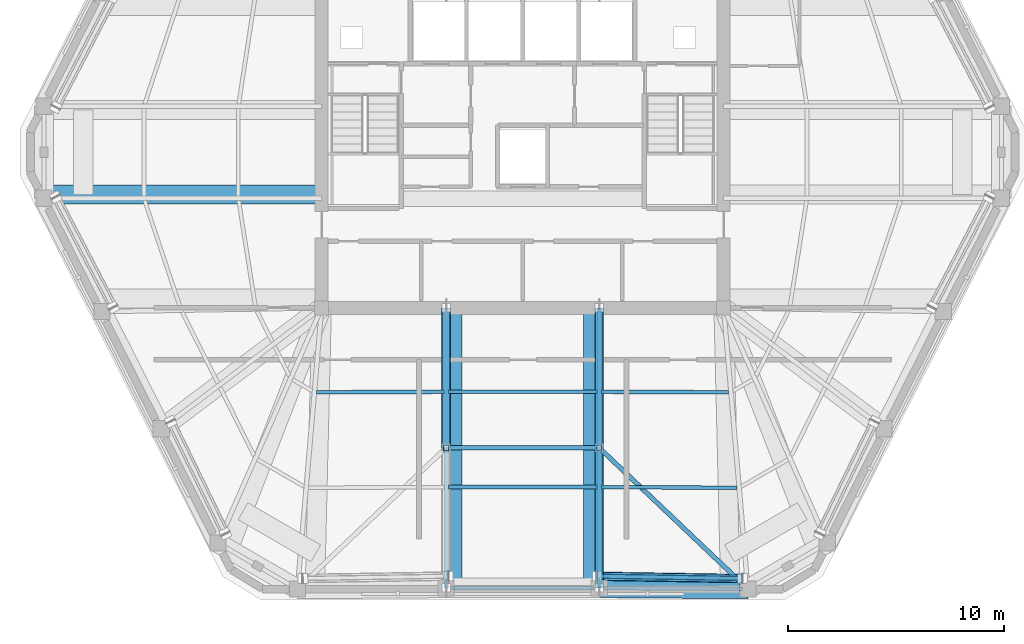
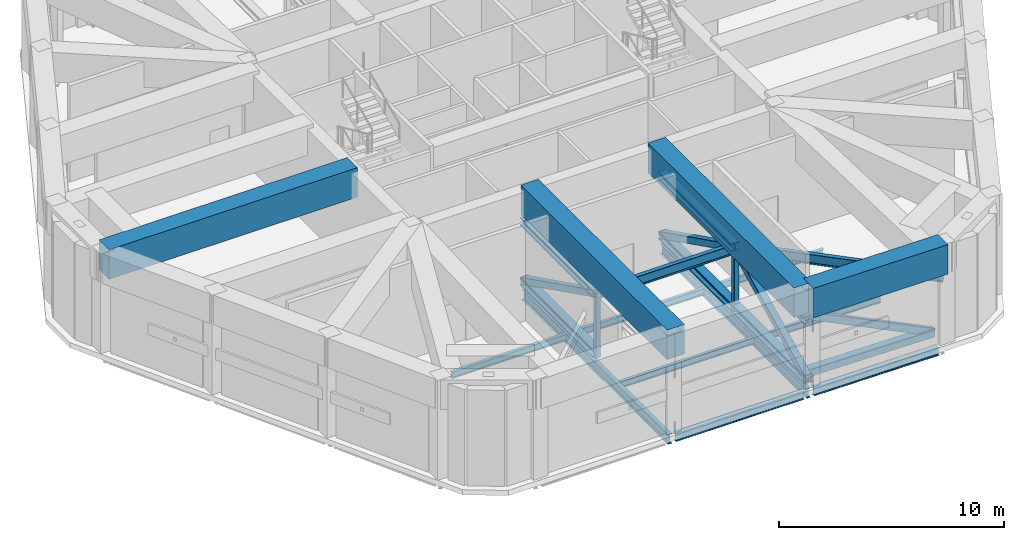
# One storey, part 2 of 15: 15 beams, 14 members.
"""IFC4 building model written with IfcOpenShell, lengths in metres."""

from ifc_helpers import new_model, si_unit, direction, frame, origin, origin_2d, place, context, subcontext, project, spatial, rectangle, hollow_rectangle, i_section, extrude, material, material_profile, profile_set, type_object, element, save


model = new_model("IFC4")

# Units and contexts
model_context = context("Model", 3, precision=1e-05, world=origin(), true_north=direction((0.0, 1.0)))
body_context = subcontext(model_context, "Body", "Model", "MODEL_VIEW")
ifc_project = project(units=[si_unit("LENGTHUNIT", "METRE"), si_unit("AREAUNIT", "SQUARE_METRE"), si_unit("VOLUMEUNIT", "CUBIC_METRE"), si_unit("PLANEANGLEUNIT", "RADIAN"), si_unit("MASSUNIT", "GRAM", prefix="KILO")], contexts=[model_context])

# Site, building, storey
site_placement = place(None, origin())
site = spatial("IfcSite", under=ifc_project, at=site_placement, CompositionType="ELEMENT")
building_placement = place(site_placement, origin())
building = spatial("IfcBuilding", under=site, at=building_placement, Name="Cinnabar Lancet Tower", CompositionType="ELEMENT")
storey_placement = place(building_placement, frame((0.0, 0.0, 221.60009765625)))
storey = spatial("IfcBuildingStorey", under=building, at=storey_placement, Name="L59", CompositionType="ELEMENT", Elevation=221.60009765625)

# Beams
ifc_material_1 = material(Name="Concrete C70/85", Category="concrete")
ifc_material_profile_1 = material_profile(ifc_material_1, rectangle(XDim=0.89990234375, YDim=1.60009765625, at=origin_2d()), Name="RC-BG 900x1600")
ifc_profile_set_1 = profile_set([ifc_material_profile_1], Name="Concrete C70/85")
beam_type_1 = type_object("IfcBeamType", Name="STR-BM-BG-1600", PredefinedType="BEAM", material=ifc_profile_set_1)
beam_1_placement = place(storey_placement, frame((35.943115234375, 5.64208984375, 4.599853515625), z_axis=(0.999970335653, -0.00770245502, 0.0), x_axis=(0.00770245502, 0.999970335653, 0.0)))
element("IfcBeam", 1, at=beam_1_placement, inside=storey, type_object=beam_type_1, Name="L60 Setback Outer Ring Girder 3", PredefinedType="BEAM", context=body_context, shape_type="SweptSolid", body=[
    extrude(rectangle(XDim=0.89990234375, YDim=1.60009765625, at=origin_2d()), origin(), (0.0, 0.0, 1.0), 6.878173828125),
])
for number, where, z_axis, x_axis, name in (
    (2, (29.14599609375, 5.64208984375, 4.599853515625), (0.0, 1.0, 0.0), (-1.0, 0.0, 0.0), "L60 Setback Continuous Radial Transfer Girder 2"),
    (3, (35.654052734375, 5.64208984375, 4.599853515625), (0.0, 1.0, 0.0), (-1.0, 0.0, 0.0), "L60 Setback Continuous Radial Transfer Girder 3"),
):
    element("IfcBeam", number, at=place(storey_placement, frame(where, z_axis=z_axis, x_axis=x_axis)), inside=storey, type_object=beam_type_1, Name=name, PredefinedType="BEAM", context=body_context, shape_type="SweptSolid", body=[
        extrude(rectangle(XDim=0.89990234375, YDim=1.60009765625, at=origin_2d()), origin(), (0.0, 0.0, 1.0), 12.9580078125),
    ])
beam_2_placement = place(storey_placement, frame((10.3720703125, 23.844970703125, 4.599853515625), z_axis=(1.0, 0.0, 0.0), x_axis=(0.0, 1.0, 0.0)))
element("IfcBeam", 4, at=beam_2_placement, inside=storey, type_object=beam_type_1, Name="L60 Setback Continuous Radial Transfer Girder 21", PredefinedType="BEAM", context=body_context, shape_type="SweptSolid", body=[
    extrude(rectangle(XDim=0.89990234375, YDim=1.60009765625, at=origin_2d()), origin(), (0.0, 0.0, 1.0), 12.72802734375),
])
ifc_material_2 = material(Name="Structural steel S355", Category="steel")
ifc_material_profile_2 = material_profile(ifc_material_2, i_section(OverallWidth=0.17138671875, OverallDepth=0.35498046875, WebThickness=0.00732421875, FlangeThickness=0.011474609375, FilletRadius=0.01025390625, at=origin_2d()), Name="UKB 356x171x51")
ifc_profile_set_2 = profile_set([ifc_material_profile_2], Name="Structural steel S355")
beam_type_2 = type_object("IfcBeamType", Name="STR-BM-JST-356", PredefinedType="JOIST", material=ifc_profile_set_2)
beam_3_placement = place(storey_placement, frame((22.868896484375, 14.697021484375, -0.4580078125), z_axis=(0.999996795933, 0.002531427338, 0.0), x_axis=(-0.002531427338, 0.999996795933, 0.0)))
element("IfcBeam", 5, at=beam_3_placement, inside=storey, type_object=beam_type_2, Name="L59 Secondary Floor Joist 10", PredefinedType="JOIST", context=body_context, shape_type="SweptSolid", body=[
    extrude(i_section(OverallWidth=0.17138671875, OverallDepth=0.35498046875, WebThickness=0.00732421875, FlangeThickness=0.011474609375, FilletRadius=0.01025390625, at=origin_2d()), origin(), (0.0, 0.0, 1.0), 5.883056640625),
])
for number, where, z_axis, x_axis, name in (
    (6, (28.9619140625, 10.306884765625, -0.4580078125), (1.0, 0.0, 0.0), (0.0, 1.0, 0.0), "L59 Secondary Floor Joist 11"),
    (7, (28.9619140625, 14.712890625, -0.4580078125), (1.0, 0.0, 0.0), (0.0, 1.0, 0.0), "L59 Secondary Floor Joist 12"),
):
    element("IfcBeam", number, at=place(storey_placement, frame(where, z_axis=z_axis, x_axis=x_axis)), inside=storey, type_object=beam_type_2, Name=name, PredefinedType="JOIST", context=body_context, shape_type="SweptSolid", body=[
        extrude(i_section(OverallWidth=0.17138671875, OverallDepth=0.35498046875, WebThickness=0.00732421875, FlangeThickness=0.011474609375, FilletRadius=0.01025390625, at=origin_2d()), origin(), (0.0, 0.0, 1.0), 6.8759765625),
    ])
beam_4_placement = place(storey_placement, frame((36.048095703125, 10.305908203125, -0.4580078125), z_axis=(0.999986965561, -0.005105752523, 0.0), x_axis=(0.005105752523, 0.999986965561, 0.0)))
element("IfcBeam", 8, at=beam_4_placement, inside=storey, type_object=beam_type_2, Name="L59 Secondary Floor Joist 13", PredefinedType="JOIST", context=body_context, shape_type="SweptSolid", body=[
    extrude(i_section(OverallWidth=0.17138671875, OverallDepth=0.35498046875, WebThickness=0.00732421875, FlangeThickness=0.011474609375, FilletRadius=0.01025390625, at=origin_2d()), origin(), (0.0, 0.0, 1.0), 6.263916015625),
])
beam_5_placement = place(storey_placement, frame((36.048095703125, 14.7119140625, -0.4580078125), z_axis=(0.999996795667, -0.002531532393, 0.0), x_axis=(0.002531532393, 0.999996795667, 0.0)))
element("IfcBeam", 9, at=beam_5_placement, inside=storey, type_object=beam_type_2, Name="L59 Secondary Floor Joist 14", PredefinedType="JOIST", context=body_context, shape_type="SweptSolid", body=[
    extrude(i_section(OverallWidth=0.17138671875, OverallDepth=0.35498046875, WebThickness=0.00732421875, FlangeThickness=0.011474609375, FilletRadius=0.01025390625, at=origin_2d()), origin(), (0.0, 0.0, 1.0), 5.8828125),
])
ifc_material_3 = material(Name="Structural steel S355", Category="steel")
ifc_material_profile_3 = material_profile(ifc_material_3, i_section(OverallWidth=0.1904296875, OverallDepth=0.45703125, WebThickness=0.009033203125, FlangeThickness=0.014404296875, FilletRadius=0.01025390625, at=origin_2d()), Name="UKB 457x191x74")
ifc_profile_set_3 = profile_set([ifc_material_profile_3], Name="Structural steel S355")
beam_type_3 = type_object("IfcBeamType", Name="STR-BM-SPN-457", PredefinedType="SPANDREL", material=ifc_profile_set_3)
beam_6_placement = place(storey_placement, frame((29.10693359375, 5.64208984375, -0.509033203125), z_axis=(1.0, 0.0, 0.0), x_axis=(0.0, 1.0, 0.0)))
element("IfcBeam", 10, at=beam_6_placement, inside=storey, type_object=beam_type_3, Name="L59 Perimeter Spandrel 2", PredefinedType="SPANDREL", context=body_context, shape_type="SweptSolid", body=[
    extrude(i_section(OverallWidth=0.1904296875, OverallDepth=0.45703125, WebThickness=0.009033203125, FlangeThickness=0.014404296875, FilletRadius=0.01025390625, at=origin_2d()), origin(), (0.0, 0.0, 1.0), 6.586181640625),
])
beam_7_placement = place(storey_placement, frame((36.193115234375, 5.639892578125, -0.509033203125), z_axis=(0.999970695686, -0.007655571089, 0.0), x_axis=(0.007655571089, 0.999970695686, 0.0)))
element("IfcBeam", 11, at=beam_7_placement, inside=storey, type_object=beam_type_3, Name="L59 Perimeter Spandrel 3", PredefinedType="SPANDREL", context=body_context, shape_type="SweptSolid", body=[
    extrude(i_section(OverallWidth=0.1904296875, OverallDepth=0.45703125, WebThickness=0.009033203125, FlangeThickness=0.014404296875, FilletRadius=0.01025390625, at=origin_2d()), origin(), (0.0, 0.0, 1.0), 6.378173828125),
])
ifc_material_4 = material(Name="Structural steel S355", Category="steel")
ifc_material_profile_4 = material_profile(ifc_material_4, i_section(OverallWidth=0.209228515625, OverallDepth=0.533203125, WebThickness=0.010009765625, FlangeThickness=0.015625, FilletRadius=0.0126953125, at=origin_2d()), Name="UKB 533x210x92")
ifc_profile_set_4 = profile_set([ifc_material_profile_4], Name="Structural steel S355")
beam_type_4 = type_object("IfcBeamType", Name="STR-BM-UKB533-92", PredefinedType="BEAM", material=ifc_profile_set_4)
for number, where, z_axis, x_axis, name in (
    (12, (28.85693359375, 5.64208984375, -0.547119140625), (0.0, 1.0, 0.0), (-1.0, 0.0, 0.0), "L59 Primary Floor Girder 2"),
    (13, (35.943115234375, 5.64208984375, -0.547119140625), (0.0, 1.0, 0.0), (-1.0, 0.0, 0.0), "L59 Primary Floor Girder 3"),
):
    element("IfcBeam", number, at=place(storey_placement, frame(where, z_axis=z_axis, x_axis=x_axis)), inside=storey, type_object=beam_type_4, Name=name, PredefinedType="BEAM", context=body_context, shape_type="SweptSolid", body=[
        extrude(i_section(OverallWidth=0.209228515625, OverallDepth=0.533203125, WebThickness=0.010009765625, FlangeThickness=0.015625, FilletRadius=0.0126953125, at=origin_2d()), origin(), (0.0, 0.0, 1.0), 12.9580078125),
    ])
beam_8_placement = place(storey_placement, frame((28.85693359375, 12.12109375, 3.40283203125), z_axis=(1.0, 0.0, 0.0), x_axis=(0.0, 1.0, 0.0)))
element("IfcBeam", 14, at=beam_8_placement, inside=storey, type_object=beam_type_4, Name="L59 Outrigger S Tie Beam 2", PredefinedType="BEAM", context=body_context, shape_type="SweptSolid", body=[
    extrude(i_section(OverallWidth=0.209228515625, OverallDepth=0.533203125, WebThickness=0.010009765625, FlangeThickness=0.015625, FilletRadius=0.0126953125, at=origin_2d()), origin(), (0.0, 0.0, 1.0), 7.086181640625),
])
beam_9_placement = place(storey_placement, frame((35.943115234375, 12.12109375, 3.40283203125), z_axis=(0.725107384687, -0.688635811349, 0.0), x_axis=(0.688635811349, 0.725107384687, 0.0)))
element("IfcBeam", 15, at=beam_9_placement, inside=storey, type_object=beam_type_4, Name="L59 Outrigger S Tie Beam 3", PredefinedType="BEAM", context=body_context, shape_type="SweptSolid", body=[
    extrude(i_section(OverallWidth=0.209228515625, OverallDepth=0.533203125, WebThickness=0.010009765625, FlangeThickness=0.015625, FilletRadius=0.0126953125, at=origin_2d()), origin(), (0.0, 0.0, 1.0), 9.4853515625),
])

# Members
ifc_material_5 = material(Name="Structural steel S460", Category="steel")
ifc_material_profile_5 = material_profile(ifc_material_5, hollow_rectangle(XDim=0.199951171875, YDim=0.39990234375, WallThickness=0.01611328125, InnerFilletRadius=0.008056640625, OuterFilletRadius=0.02392578125, at=origin_2d()), Name="RHS 400x200x16")
ifc_profile_set_5 = profile_set([ifc_material_profile_5], Name="Structural steel S460")
member_type_1 = type_object("IfcMemberType", Name="STR-MEM-BT-BRC400", PredefinedType="BRACE", material=ifc_profile_set_5)
member_placement = place(storey_placement, frame((35.847900390625, 6.18408203125, 3.449951171875), z_axis=(0.90123232095, -0.014240321817, -0.433102201459), x_axis=(0.015798972284, 0.999875188448, 0.0)))
element("IfcMember", 16, at=member_placement, inside=storey, type_object=member_type_1, Name="L59 Belt Truss Face 1 Diagonal", PredefinedType="BRACE", context=body_context, shape_type="SweptSolid", body=[
    extrude(hollow_rectangle(XDim=0.199951171875, YDim=0.39990234375, WallThickness=0.01611328125, InnerFilletRadius=0.008056640625, OuterFilletRadius=0.02392578125, at=origin_2d()), origin(), (0.0, 0.0, 1.0), 7.457763671875),
])
ifc_material_6 = material(Name="Structural steel S460", Category="steel")
ifc_material_profile_6 = material_profile(ifc_material_6, hollow_rectangle(XDim=0.39990234375, YDim=0.39990234375, WallThickness=0.02001953125, InnerFilletRadius=0.010009765625, OuterFilletRadius=0.030029296875, at=origin_2d()), Name="SHS 400x400x20")
ifc_profile_set_6 = profile_set([ifc_material_profile_6], Name="Structural steel S460")
member_type_2 = type_object("IfcMemberType", Name="STR-MEM-BT-CHD400", PredefinedType="CHORD", material=ifc_profile_set_6)
for number, where, z_axis, x_axis, name in (
    (17, (35.847900390625, 6.18408203125, 0.219970703125), (0.999875188448, -0.015798972284, 0.0), (0.015798972284, 0.999875188448, 0.0), "L59 Belt Truss Face 1 Chord BC"),
    (18, (35.847900390625, 6.18408203125, 3.449951171875), (0.999875188448, -0.015798972284, 0.0), (0.015798972284, 0.999875188448, 0.0), "L59 Belt Truss Face 1 Chord TC"),
):
    element("IfcMember", number, at=place(storey_placement, frame(where, z_axis=z_axis, x_axis=x_axis)), inside=storey, type_object=member_type_2, Name=name, PredefinedType="CHORD", context=body_context, shape_type="SweptSolid", body=[
        extrude(hollow_rectangle(XDim=0.39990234375, YDim=0.39990234375, WallThickness=0.02001953125, InnerFilletRadius=0.010009765625, OuterFilletRadius=0.030029296875, at=origin_2d()), origin(), (0.0, 0.0, 1.0), 6.721923828125),
    ])
ifc_material_7 = material(Name="Structural steel S460", Category="steel")
ifc_material_profile_7 = material_profile(ifc_material_7, hollow_rectangle(XDim=0.25, YDim=0.25, WallThickness=0.012451171875, InnerFilletRadius=0.00634765625, OuterFilletRadius=0.018798828125, at=origin_2d()), Name="SHS 250x250x12.5")
ifc_profile_set_7 = profile_set([ifc_material_profile_7], Name="Structural steel S460")
member_type_3 = type_object("IfcMemberType", Name="STR-MEM-BT-PST250", PredefinedType="STRUT", material=ifc_profile_set_7)
for number, where, z_axis, x_axis, name in (
    (19, (28.85693359375, 12.12109375, 0.0), (0.0, 0.0, 1.0), (1.0, 0.0, 0.0), "L59 Outrigger Truss 1 Web Strut"),
    (20, (35.943115234375, 12.12109375, 0.0), (0.0, 0.0, 1.0), (1.0, 0.0, 0.0), "L59 Outrigger Truss 2 Web Strut"),
):
    element("IfcMember", number, at=place(storey_placement, frame(where, z_axis=z_axis, x_axis=x_axis)), inside=storey, type_object=member_type_3, Name=name, PredefinedType="STRUT", context=body_context, shape_type="SweptSolid", body=[
        extrude(hollow_rectangle(XDim=0.25, YDim=0.25, WallThickness=0.012451171875, InnerFilletRadius=0.00634765625, OuterFilletRadius=0.018798828125, at=origin_2d()), origin(), (0.0, 0.0, 1.0), 3.449951171875),
    ])
ifc_material_8 = material(Name="Structural steel S460", Category="steel")
ifc_material_profile_8 = material_profile(ifc_material_8, hollow_rectangle(XDim=0.35009765625, YDim=0.35009765625, WallThickness=0.01611328125, InnerFilletRadius=0.008056640625, OuterFilletRadius=0.02392578125, at=origin_2d()), Name="SHS 350x350x16")
ifc_profile_set_8 = profile_set([ifc_material_profile_8], Name="Structural steel S460")
member_type_4 = type_object("IfcMemberType", Name="STR-MEM-OT-BRC350", PredefinedType="BRACE", material=ifc_profile_set_8)
for number, where, z_axis, x_axis, name in (
    (21, (28.85693359375, 18.60009765625, 0.219970703125), (0.0, -0.8949526578, 0.44616111473), (1.0, 0.0, 0.0), "L59 Outrigger Truss 1 Diagonal 1"),
    (22, (35.943115234375, 18.60009765625, 0.219970703125), (0.0, -0.8949526578, 0.44616111473), (1.0, 0.0, 0.0), "L59 Outrigger Truss 2 Diagonal 1"),
    (23, (35.943115234375, 12.12109375, 3.449951171875), (0.0, -0.8949526578, -0.44616111473), (1.0, 0.0, 0.0), "L59 Outrigger Truss 2 Diagonal 2"),
):
    element("IfcMember", number, at=place(storey_placement, frame(where, z_axis=z_axis, x_axis=x_axis)), inside=storey, type_object=member_type_4, Name=name, PredefinedType="BRACE", context=body_context, shape_type="SweptSolid", body=[
        extrude(hollow_rectangle(XDim=0.35009765625, YDim=0.35009765625, WallThickness=0.01611328125, InnerFilletRadius=0.008056640625, OuterFilletRadius=0.02392578125, at=origin_2d()), origin(), (0.0, 0.0, 1.0), 7.239501953125),
    ])
ifc_material_9 = material(Name="Structural steel S460", Category="steel")
ifc_material_profile_9 = material_profile(ifc_material_9, i_section(OverallWidth=0.412109375, OverallDepth=0.43505859375, WebThickness=0.035888671875, FlangeThickness=0.05810546875, FilletRadius=0.014892578125, at=origin_2d()), Name="HD 400x463")
ifc_profile_set_9 = profile_set([ifc_material_profile_9], Name="Structural steel S460")
member_type_5 = type_object("IfcMemberType", Name="STR-MEM-OT-CHD463", PredefinedType="CHORD", material=ifc_profile_set_9)
for number, where, z_axis, x_axis, name in (
    (24, (28.85693359375, 18.60009765625, 0.219970703125), (0.0, -1.0, 0.0), (1.0, 0.0, 0.0), "L59 Outrigger Truss 1 Chord BC1"),
    (25, (28.85693359375, 18.60009765625, 3.449951171875), (0.0, -1.0, 0.0), (1.0, 0.0, 0.0), "L59 Outrigger Truss 1 Chord TC1"),
    (26, (35.943115234375, 18.60009765625, 0.219970703125), (0.0, -1.0, 0.0), (1.0, 0.0, 0.0), "L59 Outrigger Truss 2 Chord BC1"),
    (27, (35.943115234375, 12.12109375, 0.219970703125), (0.0, -1.0, 0.0), (1.0, 0.0, 0.0), "L59 Outrigger Truss 2 Chord BC2"),
    (28, (35.943115234375, 18.60009765625, 3.449951171875), (0.0, -1.0, 0.0), (1.0, 0.0, 0.0), "L59 Outrigger Truss 2 Chord TC1"),
    (29, (35.943115234375, 12.12109375, 3.449951171875), (0.0, -1.0, 0.0), (1.0, 0.0, 0.0), "L59 Outrigger Truss 2 Chord TC2"),
):
    element("IfcMember", number, at=place(storey_placement, frame(where, z_axis=z_axis, x_axis=x_axis)), inside=storey, type_object=member_type_5, Name=name, PredefinedType="CHORD", context=body_context, shape_type="SweptSolid", body=[
        extrude(i_section(OverallWidth=0.412109375, OverallDepth=0.43505859375, WebThickness=0.035888671875, FlangeThickness=0.05810546875, FilletRadius=0.014892578125, at=origin_2d()), origin(), (0.0, 0.0, 1.0), 6.47900390625),
    ])

save(model, "model.ifc")
